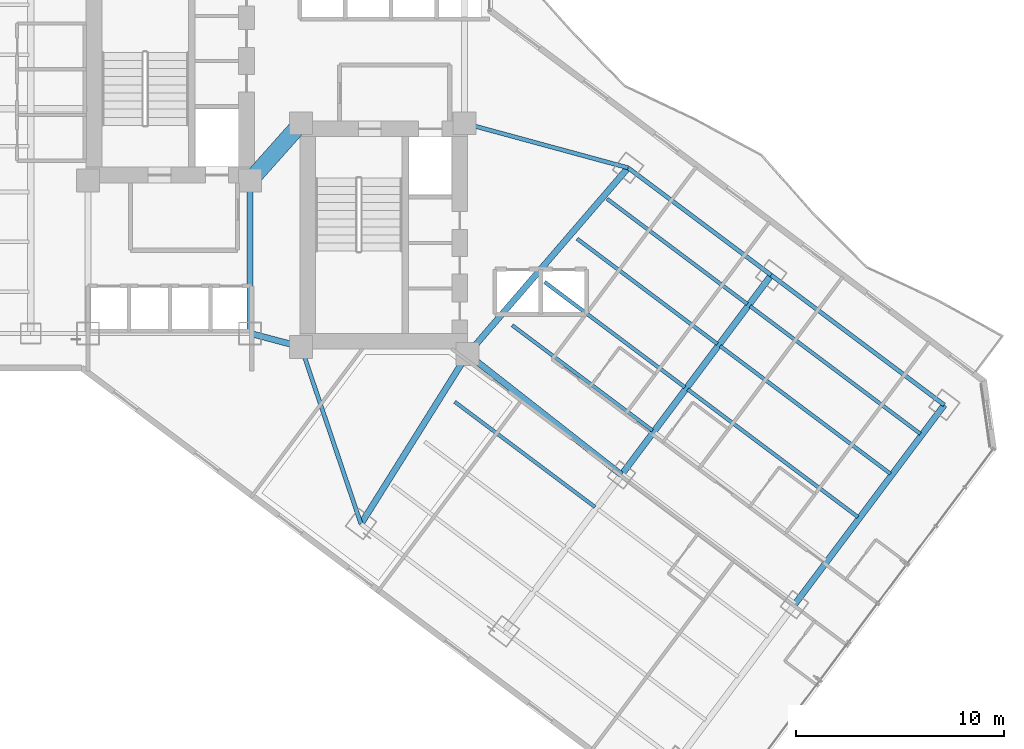
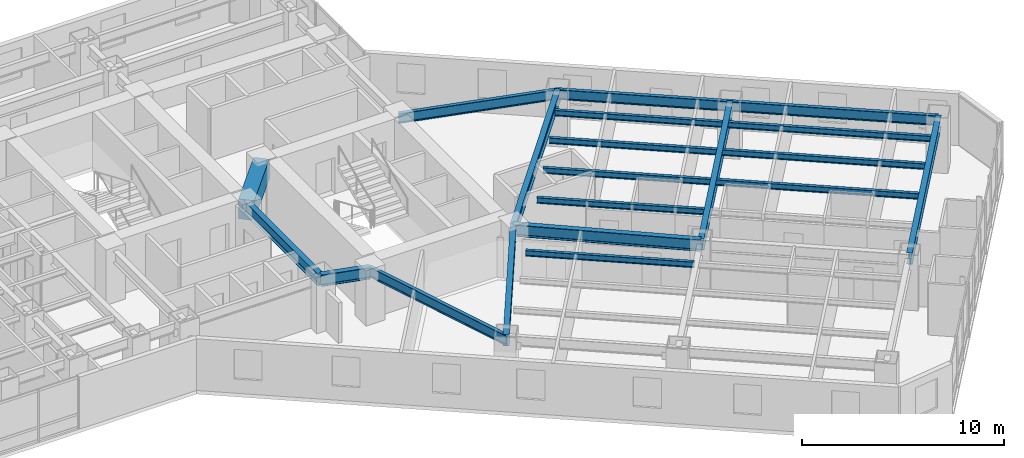
# One storey, part 11 of 38: 20 beams.
"""IFC4 building model written with IfcOpenShell, lengths in metres."""

from ifc_helpers import new_model, si_unit, direction, frame, origin, origin_2d, place, context, subcontext, project, spatial, rectangle, i_section, extrude, material, material_profile, profile_set, type_object, element, save


model = new_model("IFC4")

# Units and contexts
model_context = context("Model", 3, precision=1e-05, world=origin(), true_north=direction((0.0, 1.0)))
body_context = subcontext(model_context, "Body", "Model", "MODEL_VIEW")
ifc_project = project(units=[si_unit("LENGTHUNIT", "METRE"), si_unit("AREAUNIT", "SQUARE_METRE"), si_unit("VOLUMEUNIT", "CUBIC_METRE"), si_unit("PLANEANGLEUNIT", "RADIAN"), si_unit("MASSUNIT", "GRAM", prefix="KILO")], contexts=[model_context])

# Site, building, storey
site_placement = place(None, origin())
site = spatial("IfcSite", under=ifc_project, at=site_placement, CompositionType="ELEMENT")
building_placement = place(site_placement, origin())
building = spatial("IfcBuilding", under=site, at=building_placement, Name="Hatsunagi Terrace Concourse", CompositionType="ELEMENT")
storey_placement = place(building_placement, frame((0.0, 0.0, 60.050048828125)))
storey = spatial("IfcBuildingStorey", under=building, at=storey_placement, Name="L15", CompositionType="ELEMENT", Elevation=60.050048828125)

# Beams
ifc_material_1 = material(Name="Concrete Fc60", Category="concrete")
ifc_material_profile_1 = material_profile(ifc_material_1, rectangle(XDim=0.800048828125, YDim=1.199951171875, at=origin_2d()), Name="RC-800x1200")
ifc_profile_set_1 = profile_set([ifc_material_profile_1], Name="Concrete Fc60")
beam_type_1 = type_object("IfcBeamType", Name="CoreCouplingBeam_RC_800x1200", PredefinedType="BEAM", material=ifc_profile_set_1)
beam_1_placement = place(storey_placement, frame((33.35009765625, 32.550048828125, 2.530029296875), z_axis=(0.665198651008, 0.746666427997, 0.0), x_axis=(-0.746666427997, 0.665198651008, 0.0)))
element("IfcBeam", 1, at=beam_1_placement, inside=storey, type_object=beam_type_1, Name="Beam CB-01 CB-L15-1", PredefinedType="BEAM", context=body_context, shape_type="SweptSolid", body=[
    extrude(rectangle(XDim=0.800048828125, YDim=1.199951171875, at=origin_2d()), origin(), (0.0, 0.0, 1.0), 3.68310546875),
])
ifc_material_2 = material(Name="Steel SN490B", Category="steel")
ifc_material_profile_2 = material_profile(ifc_material_2, i_section(OverallWidth=0.300048828125, OverallDepth=0.699951171875, WebThickness=0.012939453125, FlangeThickness=0.02392578125, FilletRadius=0.02197265625, at=origin_2d()), Name="H-700x300x13x24")
ifc_profile_set_2 = profile_set([ifc_material_profile_2], Name="Steel SN490B")
beam_type_2 = type_object("IfcBeamType", Name="HotelFloorGirder_H_700x300", PredefinedType="BEAM", material=ifc_profile_set_2)
beam_2_placement = place(storey_placement, frame((33.35009765625, 25.199951171875, 2.780029296875), z_axis=(0.0, 1.0, 0.0), x_axis=(-1.0, 0.0, 0.0)))
element("IfcBeam", 2, at=beam_2_placement, inside=storey, type_object=beam_type_2, Name="Beam G-04 BM-L15-K2CA", PredefinedType="BEAM", context=body_context, shape_type="SweptSolid", body=[
    extrude(i_section(OverallWidth=0.300048828125, OverallDepth=0.699951171875, WebThickness=0.012939453125, FlangeThickness=0.02392578125, FilletRadius=0.02197265625, at=origin_2d()), origin(), (0.0, 0.0, 1.0), 7.35009765625),
])
beam_3_placement = place(storey_placement, frame((33.35009765625, 25.199951171875, 2.780029296875), z_axis=(0.966569840116, -0.256403479262, 0.0), x_axis=(0.256403479262, 0.966569840116, 0.0)))
element("IfcBeam", 3, at=beam_3_placement, inside=storey, type_object=beam_type_2, Name="Beam G-04 BM-L15-K2CB", PredefinedType="BEAM", context=body_context, shape_type="SweptSolid", body=[
    extrude(i_section(OverallWidth=0.300048828125, OverallDepth=0.699951171875, WebThickness=0.012939453125, FlangeThickness=0.02392578125, FilletRadius=0.02197265625, at=origin_2d()), origin(), (0.0, 0.0, 1.0), 2.53466796875),
])
beam_4_placement = place(storey_placement, frame((38.679931640625, 16.0400390625, 2.780029296875), z_axis=(0.531503907049, 0.847055840421, 0.0), x_axis=(-0.847055840421, 0.531503907049, 0.0)))
element("IfcBeam", 4, at=beam_4_placement, inside=storey, type_object=beam_type_2, Name="Beam G-04 BM-L15-SET-1A", PredefinedType="BEAM", context=body_context, shape_type="SweptSolid", body=[
    extrude(i_section(OverallWidth=0.300048828125, OverallDepth=0.699951171875, WebThickness=0.012939453125, FlangeThickness=0.02392578125, FilletRadius=0.02197265625, at=origin_2d()), origin(), (0.0, 0.0, 1.0), 9.63330078125),
])
beam_5_placement = place(storey_placement, frame((43.800048828125, 24.199951171875, 2.780029296875), z_axis=(0.652739101421, 0.757582777969, 0.0), x_axis=(-0.757582777969, 0.652739101421, 0.0)))
element("IfcBeam", 5, at=beam_5_placement, inside=storey, type_object=beam_type_2, Name="Beam G-04 BM-L15-SET-1B", PredefinedType="BEAM", context=body_context, shape_type="SweptSolid", body=[
    extrude(i_section(OverallWidth=0.300048828125, OverallDepth=0.699951171875, WebThickness=0.012939453125, FlangeThickness=0.02392578125, FilletRadius=0.02197265625, at=origin_2d()), origin(), (0.0, 0.0, 1.0), 11.8271484375),
])
beam_6_placement = place(storey_placement, frame((43.800048828125, 24.199951171875, 2.780029296875), z_axis=(0.787049441068, -0.616889923175, 0.0), x_axis=(0.616889923175, 0.787049441068, 0.0)))
element("IfcBeam", 6, at=beam_6_placement, inside=storey, type_object=beam_type_2, Name="Beam G-04 BM-L15-SE-M2", PredefinedType="BEAM", context=body_context, shape_type="SweptSolid", body=[
    extrude(i_section(OverallWidth=0.300048828125, OverallDepth=0.699951171875, WebThickness=0.012939453125, FlangeThickness=0.02392578125, FilletRadius=0.02197265625, at=origin_2d()), origin(), (0.0, 0.0, 1.0), 9.402099609375),
])
for number, where, z_axis, x_axis, name in (
    (7, (51.199951171875, 18.39990234375, 2.780029296875), (0.59999348959, 0.800004882766, 0.0), (-0.800004882766, 0.59999348959, 0.0), "Beam G-04 BM-L15-SET-2B"),
    (8, (59.52001953125, 12.159912109375, 2.780029296875), (0.59999348959, 0.800004882766, 0.0), (-0.800004882766, 0.59999348959, 0.0), "Beam G-04 BM-L15-SET-3B"),
):
    element("IfcBeam", number, at=place(storey_placement, frame(where, z_axis=z_axis, x_axis=x_axis)), inside=storey, type_object=beam_type_2, Name=name, PredefinedType="BEAM", context=body_context, shape_type="SweptSolid", body=[
        extrude(i_section(OverallWidth=0.300048828125, OverallDepth=0.699951171875, WebThickness=0.012939453125, FlangeThickness=0.02392578125, FilletRadius=0.02197265625, at=origin_2d()), origin(), (0.0, 0.0, 1.0), 12.0),
    ])
ifc_material_3 = material(Name="Steel SN490B", Category="steel")
ifc_material_profile_3 = material_profile(ifc_material_3, i_section(OverallWidth=0.175048828125, OverallDepth=0.35009765625, WebThickness=0.007080078125, FlangeThickness=0.010986328125, FilletRadius=0.012939453125, at=origin_2d()), Name="H-350x175x7x11")
ifc_profile_set_3 = profile_set([ifc_material_profile_3], Name="Steel SN490B")
beam_type_3 = type_object("IfcBeamType", Name="HotelJoist_H_350x175", PredefinedType="JOIST", material=ifc_profile_set_3)
for number, where, z_axis, x_axis, name in (
    (9, (43.18798828125, 21.908935546875, 2.954833984375), (0.800003475366, -0.59999536615, 0.0), (0.59999536615, 0.800003475366, 0.0), "Beam J-02 J-L15-SE-2-96"),
    (10, (45.947998046875, 25.589111328125, 2.954833984375), (0.799989573921, -0.600013901187, 0.0), (0.600013901187, 0.799989573921, 0.0), "Beam J-02 J-L15-SE-2-142"),
    (11, (47.508056640625, 27.6689453125, 2.954833984375), (0.800003475366, -0.59999536615, 0.0), (0.59999536615, 0.800003475366, 0.0), "Beam J-02 J-L15-SE-2-168"),
    (12, (49.068115234375, 29.7490234375, 2.954833984375), (0.799989573921, -0.600013901187, 0.0), (0.600013901187, 0.799989573921, 0.0), "Beam J-02 J-L15-SE-2-194"),
    (13, (50.508056640625, 31.6689453125, 2.954833984375), (0.800003475366, -0.59999536615, 0.0), (0.59999536615, 0.800003475366, 0.0), "Beam J-02 J-L15-SE-2-218"),
):
    element("IfcBeam", number, at=place(storey_placement, frame(where, z_axis=z_axis, x_axis=x_axis)), inside=storey, type_object=beam_type_3, Name=name, PredefinedType="JOIST", context=body_context, shape_type="SweptSolid", body=[
        extrude(i_section(OverallWidth=0.175048828125, OverallDepth=0.35009765625, WebThickness=0.007080078125, FlangeThickness=0.010986328125, FilletRadius=0.012939453125, at=origin_2d()), origin(), (0.0, 0.0, 1.0), 8.429931640625),
    ])
beam_7_placement = place(storey_placement, frame((54.387939453125, 22.509033203125, 2.954833984375), z_axis=(0.800005727586, -0.599992363142, 0.0), x_axis=(0.599992363142, 0.800005727586, 0.0)))
element("IfcBeam", 14, at=beam_7_placement, inside=storey, type_object=beam_type_3, Name="Beam J-02 J-L15-SE-3-168", PredefinedType="JOIST", context=body_context, shape_type="SweptSolid", body=[
    extrude(i_section(OverallWidth=0.175048828125, OverallDepth=0.35009765625, WebThickness=0.007080078125, FlangeThickness=0.010986328125, FilletRadius=0.012939453125, at=origin_2d()), origin(), (0.0, 0.0, 1.0), 10.22998046875),
])
beam_8_placement = place(storey_placement, frame((55.947998046875, 24.589111328125, 2.954833984375), z_axis=(0.799994272423, -0.600007636694, 0.0), x_axis=(0.600007636694, 0.799994272423, 0.0)))
element("IfcBeam", 15, at=beam_8_placement, inside=storey, type_object=beam_type_3, Name="Beam J-02 J-L15-SE-3-194", PredefinedType="JOIST", context=body_context, shape_type="SweptSolid", body=[
    extrude(i_section(OverallWidth=0.175048828125, OverallDepth=0.35009765625, WebThickness=0.007080078125, FlangeThickness=0.010986328125, FilletRadius=0.012939453125, at=origin_2d()), origin(), (0.0, 0.0, 1.0), 10.230224609375),
])
beam_9_placement = place(storey_placement, frame((57.387939453125, 26.509033203125, 2.954833984375), z_axis=(0.800005727586, -0.599992363142, 0.0), x_axis=(0.599992363142, 0.800005727586, 0.0)))
element("IfcBeam", 16, at=beam_9_placement, inside=storey, type_object=beam_type_3, Name="Beam J-02 J-L15-SE-3-218", PredefinedType="JOIST", context=body_context, shape_type="SweptSolid", body=[
    extrude(i_section(OverallWidth=0.175048828125, OverallDepth=0.35009765625, WebThickness=0.007080078125, FlangeThickness=0.010986328125, FilletRadius=0.012939453125, at=origin_2d()), origin(), (0.0, 0.0, 1.0), 10.22998046875),
])
ifc_material_4 = material(Name="Steel SN490B", Category="steel")
ifc_material_profile_4 = material_profile(ifc_material_4, i_section(OverallWidth=0.199951171875, OverallDepth=0.60009765625, WebThickness=0.010986328125, FlangeThickness=0.01708984375, FilletRadius=0.01806640625, at=origin_2d()), Name="H-600x200x11x17")
ifc_profile_set_4 = profile_set([ifc_material_profile_4], Name="Steel SN490B")
beam_type_4 = type_object("IfcBeamType", Name="PerimeterSpandrel_H_600x200", PredefinedType="SPANDREL", material=ifc_profile_set_4)
beam_10_placement = place(storey_placement, frame((35.800048828125, 24.550048828125, 2.829833984375), z_axis=(0.320553412271, -0.947230441805, 0.0), x_axis=(0.947230441805, 0.320553412271, 0.0)))
element("IfcBeam", 17, at=beam_10_placement, inside=storey, type_object=beam_type_4, Name="Beam SP-01 BM-L15-SE-SW0", PredefinedType="SPANDREL", context=body_context, shape_type="SweptSolid", body=[
    extrude(i_section(OverallWidth=0.199951171875, OverallDepth=0.60009765625, WebThickness=0.010986328125, FlangeThickness=0.01708984375, FilletRadius=0.01806640625, at=origin_2d()), origin(), (0.0, 0.0, 1.0), 8.984130859375),
])
beam_11_placement = place(storey_placement, frame((43.64990234375, 35.300048828125, 2.829833984375), z_axis=(0.964958359286, -0.262403057994, 0.0), x_axis=(0.262403057994, 0.964958359286, 0.0)))
element("IfcBeam", 18, at=beam_11_placement, inside=storey, type_object=beam_type_4, Name="Beam SP-01 BM-L15-SE-NE0", PredefinedType="SPANDREL", context=body_context, shape_type="SweptSolid", body=[
    extrude(i_section(OverallWidth=0.199951171875, OverallDepth=0.60009765625, WebThickness=0.010986328125, FlangeThickness=0.01708984375, FilletRadius=0.01806640625, at=origin_2d()), origin(), (0.0, 0.0, 1.0), 8.156005859375),
])
beam_12_placement = place(storey_placement, frame((51.52001953125, 33.159912109375, 2.829833984375), z_axis=(0.8, -0.6, 0.0), x_axis=(0.6, 0.8, 0.0)))
element("IfcBeam", 19, at=beam_12_placement, inside=storey, type_object=beam_type_4, Name="Beam SP-01 BM-L15-SE-NE2", PredefinedType="SPANDREL", context=body_context, shape_type="SweptSolid", body=[
    extrude(i_section(OverallWidth=0.199951171875, OverallDepth=0.60009765625, WebThickness=0.010986328125, FlangeThickness=0.01708984375, FilletRadius=0.01806640625, at=origin_2d()), origin(), (0.0, 0.0, 1.0), 8.599853515625),
])
beam_13_placement = place(storey_placement, frame((58.39990234375, 28.0, 2.829833984375), z_axis=(0.800002816985, -0.599996244001, 0.0), x_axis=(0.599996244001, 0.800002816985, 0.0)))
element("IfcBeam", 20, at=beam_13_placement, inside=storey, type_object=beam_type_4, Name="Beam SP-01 BM-L15-SE-NE3", PredefinedType="SPANDREL", context=body_context, shape_type="SweptSolid", body=[
    extrude(i_section(OverallWidth=0.199951171875, OverallDepth=0.60009765625, WebThickness=0.010986328125, FlangeThickness=0.01708984375, FilletRadius=0.01806640625, at=origin_2d()), origin(), (0.0, 0.0, 1.0), 10.400146484375),
])

save(model, "model.ifc")
